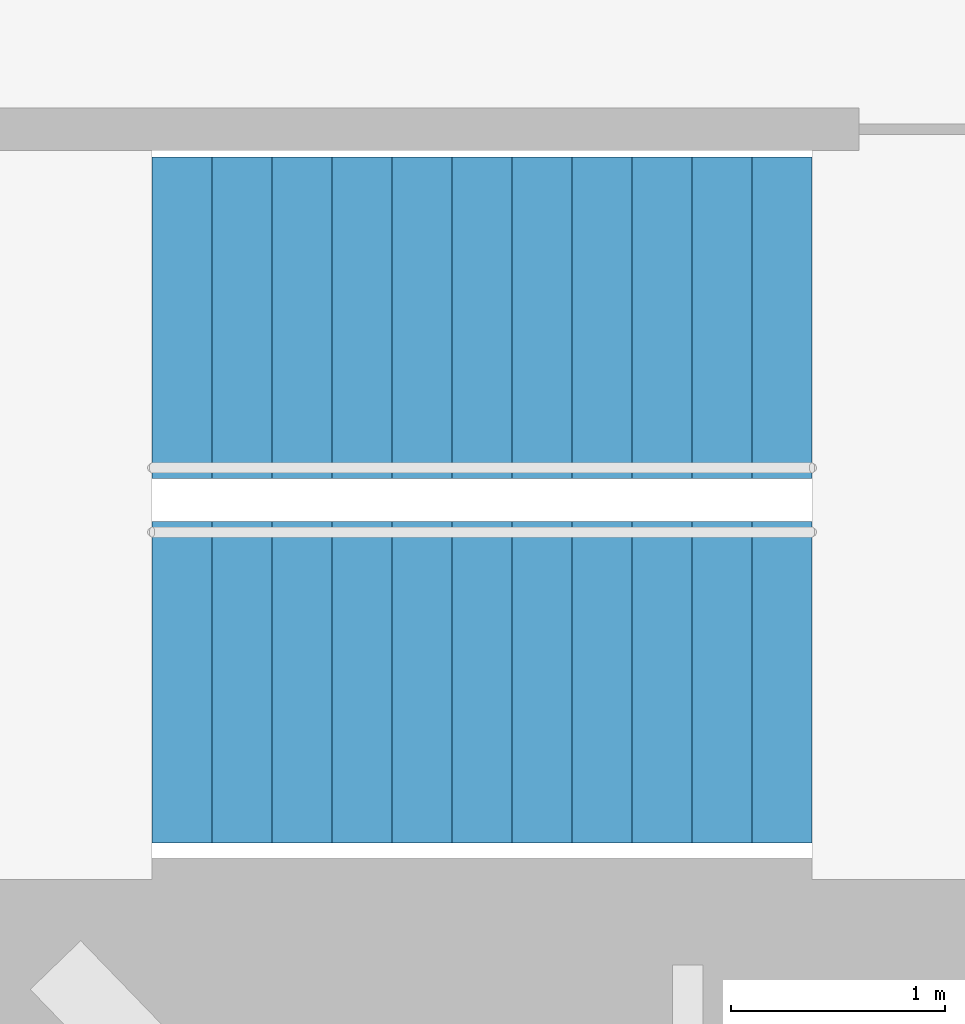
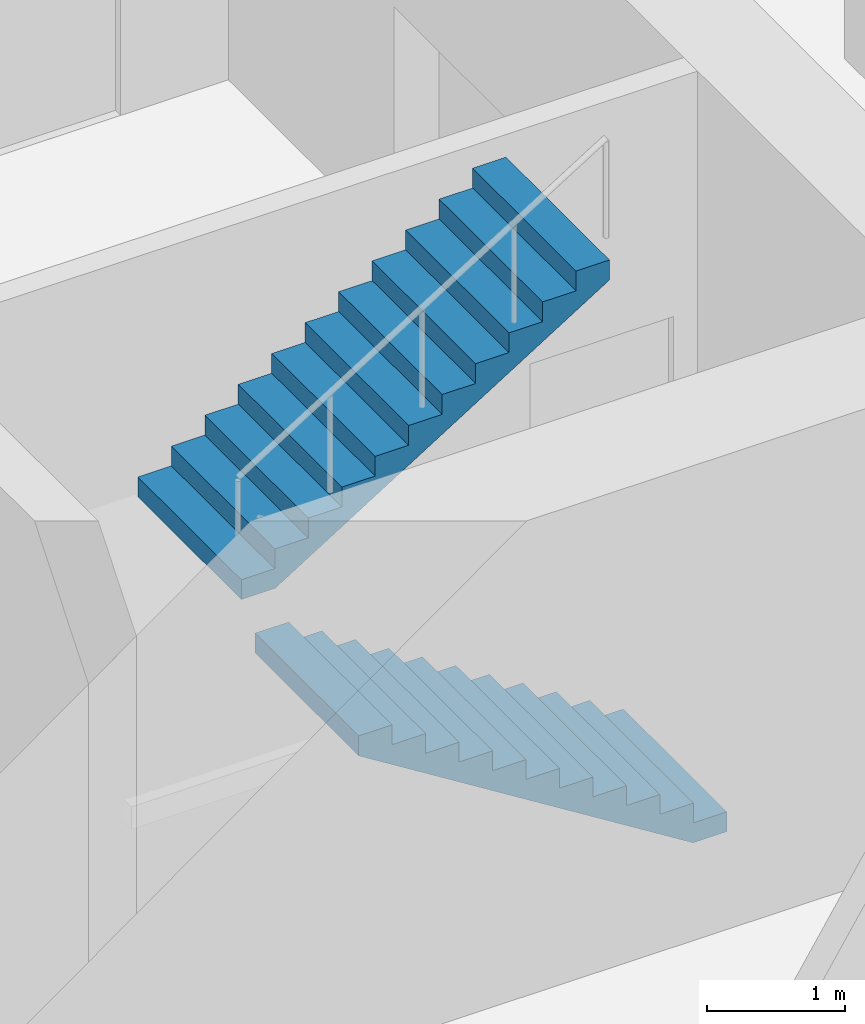
# One storey, part 15 of 16: 2 stair flights, 1 element without a shape of its own.
"""IFC4 building model written with IfcOpenShell, lengths in metres."""

from ifc_helpers import new_model, si_unit, direction, frame, origin, place, context, subcontext, project, spatial, triangles, material, type_object, element, aggregate, save


model = new_model("IFC4")

# Units and contexts
model_context = context("Model", 3, precision=1e-05, world=origin(), true_north=direction((0.0, 1.0)))
body_context = subcontext(model_context, "Body", "Model", "MODEL_VIEW")
ifc_project = project(units=[si_unit("LENGTHUNIT", "METRE"), si_unit("AREAUNIT", "SQUARE_METRE"), si_unit("VOLUMEUNIT", "CUBIC_METRE"), si_unit("PLANEANGLEUNIT", "RADIAN"), si_unit("MASSUNIT", "GRAM", prefix="KILO")], contexts=[model_context])

# Site, building, storey
site_placement = place(None, origin())
site = spatial("IfcSite", under=ifc_project, at=site_placement, CompositionType="ELEMENT")
building_placement = place(site_placement, origin())
building = spatial("IfcBuilding", under=site, at=building_placement, Name="Lantaw Convention Tower", CompositionType="ELEMENT")
storey_placement = place(building_placement, frame((0.0, 0.0, 232.60009765625)))
storey = spatial("IfcBuildingStorey", under=building, at=storey_placement, Name="L54", CompositionType="ELEMENT", Elevation=232.60009765625)

# Stair, stair flights
ifc_material = material(Name="Concrete C35/45", Category="concrete")
stair_type = type_object("IfcStairType", Name="Exit stair 1500 riser 175 in 2 flights", PredefinedType="HALF_TURN_STAIR", material=ifc_material)
stair_placement = place(storey_placement, origin())
stair = element("IfcStair", 1, at=stair_placement, inside=storey, type_object=stair_type, Name="Exit stair S2 L54", PredefinedType="HALF_TURN_STAIR")
stair_flight_type = type_object("IfcStairFlightType", Name="Stair flight 1500 riser 175", PredefinedType="STRAIGHT", material=ifc_material)
stair_flight_1_placement = place(storey_placement, frame((10.580078125, -5.97998046875, 0.0), z_axis=(0.0, 0.0, 1.0), x_axis=(-1.0, 0.0, 0.0)))
stair_flight_1 = element("IfcStairFlight", 2, at=stair_flight_1_placement, type_object=stair_flight_type, Name="S2 flight 1", NumberOfRisers=12, NumberOfTreads=11, PredefinedType="STRAIGHT", RiserHeight=0.175, TreadLength=0.28, context=body_context, shape_type="Tessellation", body=[
    triangles([(0.0, 0.75, 0.0), (0.0, 0.75, 0.175), (0.28, 0.75, 0.0), (0.28, 0.75, 0.175), (0.28, 0.75, 0.35), (0.28283517651771284, 0.75, 0.0), (0.28283517651771284, 0.75, 0.35), (0.56, 0.75, 0.17322801467642948), (0.56, 0.75, 0.35), (0.56, 0.75, 0.5249999999999999), (0.8400000000000001, 0.75, 0.34822801467642944), (0.8400000000000001, 0.75, 0.5249999999999999), (0.8400000000000001, 0.75, 0.7), (1.12, 0.75, 0.5232280146764294), (1.12, 0.75, 0.7), (1.12, 0.75, 0.875), (1.4000000000000001, 0.75, 0.6982280146764295), (1.4000000000000001, 0.75, 0.875), (1.4000000000000001, 0.75, 1.0499999999999998), (1.6800000000000002, 0.75, 0.8732280146764294), (1.6800000000000002, 0.75, 1.0499999999999998), (1.6800000000000002, 0.75, 1.2249999999999999), (1.9600000000000002, 0.75, 1.0482280146764293), (1.9600000000000002, 0.75, 1.2249999999999999), (1.9600000000000002, 0.75, 1.4), (2.24, 0.75, 1.2232280146764294), (2.24, 0.75, 1.4), (2.24, 0.75, 1.575), (2.5200000000000005, 0.75, 1.3982280146764294), (2.5200000000000005, 0.75, 1.575), (2.5200000000000005, 0.75, 1.75), (2.8000000000000003, 0.75, 1.5732280146764293), (2.8000000000000003, 0.75, 1.75), (2.8000000000000003, 0.75, 1.9249999999999998), (3.08, 0.75, 1.7482280146764293), (3.08, 0.75, 1.9249999999999998), (0.0, -0.75, 0.0), (0.0, -0.75, 0.175), (0.28, -0.75, 0.0), (0.28, -0.75, 0.175), (0.28, -0.75, 0.35), (0.28283517651771284, -0.75, 0.0), (0.28283517651771284, -0.75, 0.35), (0.56, -0.75, 0.17322801467642948), (0.56, -0.75, 0.35), (0.56, -0.75, 0.5249999999999999), (0.8400000000000001, -0.75, 0.34822801467642944), (0.8400000000000001, -0.75, 0.5249999999999999), (0.8400000000000001, -0.75, 0.7), (1.12, -0.75, 0.5232280146764294), (1.12, -0.75, 0.7), (1.12, -0.75, 0.875), (1.4000000000000001, -0.75, 0.6982280146764295), (1.4000000000000001, -0.75, 0.875), (1.4000000000000001, -0.75, 1.0499999999999998), (1.6800000000000002, -0.75, 0.8732280146764294), (1.6800000000000002, -0.75, 1.0499999999999998), (1.6800000000000002, -0.75, 1.2249999999999999), (1.9600000000000002, -0.75, 1.0482280146764293), (1.9600000000000002, -0.75, 1.2249999999999999), (1.9600000000000002, -0.75, 1.4), (2.24, -0.75, 1.2232280146764294), (2.24, -0.75, 1.4), (2.24, -0.75, 1.575), (2.5200000000000005, -0.75, 1.3982280146764294), (2.5200000000000005, -0.75, 1.575), (2.5200000000000005, -0.75, 1.75), (2.8000000000000003, -0.75, 1.5732280146764293), (2.8000000000000003, -0.75, 1.75), (2.8000000000000003, -0.75, 1.9249999999999998), (3.08, -0.75, 1.7482280146764293), (3.08, -0.75, 1.9249999999999998), (0.0, 0.15000000000000002, 0.175), (0.0, 0.15000000000000002, 0.0), (0.0, 0.0, 0.175), (0.0, 0.0, 0.0), (0.0, -0.15000000000000002, 0.175), (0.0, -0.15000000000000002, 0.0), (0.28, 0.15000000000000002, 0.35), (0.28, 0.15000000000000002, 0.175), (0.28, 0.0, 0.35), (0.28, 0.0, 0.175), (0.28, -0.15000000000000002, 0.35), (0.28, -0.15000000000000002, 0.175), (0.56, 0.15000000000000002, 0.5249999999999999), (0.56, 0.15000000000000002, 0.35), (0.56, 0.0, 0.5249999999999999), (0.56, 0.0, 0.35), (0.56, -0.15000000000000002, 0.5249999999999999), (0.56, -0.15000000000000002, 0.35), (0.8400000000000001, 0.15000000000000002, 0.7), (0.8400000000000001, 0.15000000000000002, 0.5249999999999999), (0.8400000000000001, 0.0, 0.7), (0.8400000000000001, 0.0, 0.5249999999999999), (0.8400000000000001, -0.15000000000000002, 0.7), (0.8400000000000001, -0.15000000000000002, 0.5249999999999999), (1.12, 0.15000000000000002, 0.875), (1.12, 0.15000000000000002, 0.7), (1.12, 0.0, 0.875), (1.12, 0.0, 0.7), (1.12, -0.15000000000000002, 0.875), (1.12, -0.15000000000000002, 0.7), (1.4000000000000001, 0.15000000000000002, 1.0499999999999998), (1.4000000000000001, 0.15000000000000002, 0.875), (1.4000000000000001, 0.0, 1.0499999999999998), (1.4000000000000001, 0.0, 0.875), (1.4000000000000001, -0.15000000000000002, 1.0499999999999998), (1.4000000000000001, -0.15000000000000002, 0.875), (1.6800000000000002, 0.15000000000000002, 1.2249999999999999), (1.6800000000000002, 0.15000000000000002, 1.0499999999999998), (1.6800000000000002, 0.0, 1.2249999999999999), (1.6800000000000002, 0.0, 1.0499999999999998), (1.6800000000000002, -0.15000000000000002, 1.2249999999999999), (1.6800000000000002, -0.15000000000000002, 1.0499999999999998), (1.9600000000000002, 0.15000000000000002, 1.4), (1.9600000000000002, 0.15000000000000002, 1.2249999999999999), (1.9600000000000002, 0.0, 1.4), (1.9600000000000002, 0.0, 1.2249999999999999), (1.9600000000000002, -0.15000000000000002, 1.4), (1.9600000000000002, -0.15000000000000002, 1.2249999999999999), (2.24, 0.15000000000000002, 1.575), (2.24, 0.15000000000000002, 1.4), (2.24, 0.0, 1.575), (2.24, 0.0, 1.4), (2.24, -0.15000000000000002, 1.575), (2.24, -0.15000000000000002, 1.4), (2.5200000000000005, 0.15000000000000002, 1.75), (2.5200000000000005, 0.15000000000000002, 1.575), (2.5200000000000005, 0.0, 1.75), (2.5200000000000005, 0.0, 1.575), (2.5200000000000005, -0.15000000000000002, 1.75), (2.5200000000000005, -0.15000000000000002, 1.575), (2.8000000000000003, 0.15000000000000002, 1.9249999999999998), (2.8000000000000003, 0.15000000000000002, 1.75), (2.8000000000000003, 0.0, 1.9249999999999998), (2.8000000000000003, 0.0, 1.75), (2.8000000000000003, -0.15000000000000002, 1.9249999999999998), (2.8000000000000003, -0.15000000000000002, 1.75), (0.28283517651771284, 0.15000000000000002, 0.35), (0.28283517651771284, 0.0, 0.35), (0.28283517651771284, -0.15000000000000002, 0.35), (3.08, 0.15000000000000002, 1.9249999999999998), (3.08, 0.0, 1.9249999999999998), (3.08, -0.15000000000000002, 1.9249999999999998), (3.08, 0.15000000000000002, 1.7482280146764293), (3.08, 0.0, 1.7482280146764293), (3.08, -0.15000000000000002, 1.7482280146764293), (2.8000000000000003, 0.15000000000000002, 1.5732280146764293), (2.8000000000000003, 0.0, 1.5732280146764293), (2.8000000000000003, -0.15000000000000002, 1.5732280146764293), (2.5200000000000005, 0.15000000000000002, 1.3982280146764294), (2.5200000000000005, 0.0, 1.3982280146764294), (2.5200000000000005, -0.15000000000000002, 1.3982280146764294), (2.24, 0.15000000000000002, 1.2232280146764294), (2.24, 0.0, 1.2232280146764294), (2.24, -0.15000000000000002, 1.2232280146764294), (1.9600000000000002, 0.15000000000000002, 1.0482280146764293), (1.9600000000000002, 0.0, 1.0482280146764293), (1.9600000000000002, -0.15000000000000002, 1.0482280146764293), (1.6800000000000002, 0.15000000000000002, 0.8732280146764294), (1.6800000000000002, 0.0, 0.8732280146764294), (1.6800000000000002, -0.15000000000000002, 0.8732280146764294), (1.4000000000000001, 0.15000000000000002, 0.6982280146764295), (1.4000000000000001, 0.0, 0.6982280146764295), (1.4000000000000001, -0.15000000000000002, 0.6982280146764295), (1.12, 0.15000000000000002, 0.5232280146764294), (1.12, 0.0, 0.5232280146764294), (1.12, -0.15000000000000002, 0.5232280146764294), (0.8400000000000001, 0.15000000000000002, 0.34822801467642944), (0.8400000000000001, 0.0, 0.34822801467642944), (0.8400000000000001, -0.15000000000000002, 0.34822801467642944), (0.56, 0.15000000000000002, 0.17322801467642948), (0.56, 0.0, 0.17322801467642948), (0.56, -0.15000000000000002, 0.17322801467642948), (0.28283517651771284, 0.15000000000000002, 0.0), (0.28283517651771284, 0.0, 0.0), (0.28283517651771284, -0.15000000000000002, 0.0), (0.28, 0.15000000000000002, 0.0), (0.28, 0.0, 0.0), (0.28, -0.15000000000000002, 0.0)], [[1, 4, 3], [1, 2, 4], [3, 4, 6], [4, 7, 6], [4, 5, 7], [6, 9, 8], [6, 7, 9], [8, 9, 11], [9, 12, 11], [9, 10, 12], [11, 12, 14], [12, 15, 14], [12, 13, 15], [14, 15, 17], [15, 18, 17], [15, 16, 18], [17, 18, 20], [18, 21, 20], [18, 19, 21], [20, 21, 23], [21, 24, 23], [21, 22, 24], [23, 24, 26], [24, 27, 26], [24, 25, 27], [26, 27, 29], [27, 30, 29], [27, 28, 30], [29, 30, 32], [30, 33, 32], [30, 31, 33], [32, 33, 35], [33, 36, 35], [33, 34, 36], [37, 39, 40], [37, 40, 38], [39, 42, 40], [40, 42, 43], [40, 43, 41], [42, 44, 45], [42, 45, 43], [44, 47, 45], [45, 47, 48], [45, 48, 46], [47, 50, 48], [48, 50, 51], [48, 51, 49], [50, 53, 51], [51, 53, 54], [51, 54, 52], [53, 56, 54], [54, 56, 57], [54, 57, 55], [56, 59, 57], [57, 59, 60], [57, 60, 58], [59, 62, 60], [60, 62, 63], [60, 63, 61], [62, 65, 63], [63, 65, 66], [63, 66, 64], [65, 68, 66], [66, 68, 69], [66, 69, 67], [68, 71, 69], [69, 71, 72], [69, 72, 70], [1, 73, 2], [1, 74, 73], [74, 75, 73], [74, 76, 75], [76, 77, 75], [76, 78, 77], [78, 38, 77], [78, 37, 38], [4, 79, 5], [4, 80, 79], [80, 81, 79], [80, 82, 81], [82, 83, 81], [82, 84, 83], [84, 41, 83], [84, 40, 41], [9, 85, 10], [9, 86, 85], [86, 87, 85], [86, 88, 87], [88, 89, 87], [88, 90, 89], [90, 46, 89], [90, 45, 46], [12, 91, 13], [12, 92, 91], [92, 93, 91], [92, 94, 93], [94, 95, 93], [94, 96, 95], [96, 49, 95], [96, 48, 49], [15, 97, 16], [15, 98, 97], [98, 99, 97], [98, 100, 99], [100, 101, 99], [100, 102, 101], [102, 52, 101], [102, 51, 52], [18, 103, 19], [18, 104, 103], [104, 105, 103], [104, 106, 105], [106, 107, 105], [106, 108, 107], [108, 55, 107], [108, 54, 55], [21, 109, 22], [21, 110, 109], [110, 111, 109], [110, 112, 111], [112, 113, 111], [112, 114, 113], [114, 58, 113], [114, 57, 58], [24, 115, 25], [24, 116, 115], [116, 117, 115], [116, 118, 117], [118, 119, 117], [118, 120, 119], [120, 61, 119], [120, 60, 61], [27, 121, 28], [27, 122, 121], [122, 123, 121], [122, 124, 123], [124, 125, 123], [124, 126, 125], [126, 64, 125], [126, 63, 64], [30, 127, 31], [30, 128, 127], [128, 129, 127], [128, 130, 129], [130, 131, 129], [130, 132, 131], [132, 67, 131], [132, 66, 67], [33, 133, 34], [33, 134, 133], [134, 135, 133], [134, 136, 135], [136, 137, 135], [136, 138, 137], [138, 70, 137], [138, 69, 70], [2, 80, 4], [2, 73, 80], [73, 82, 80], [73, 75, 82], [75, 84, 82], [75, 77, 84], [77, 40, 84], [77, 38, 40], [5, 139, 7], [5, 79, 139], [79, 140, 139], [79, 81, 140], [81, 141, 140], [81, 83, 141], [83, 43, 141], [83, 41, 43], [7, 86, 9], [7, 139, 86], [139, 88, 86], [139, 140, 88], [140, 90, 88], [140, 141, 90], [141, 45, 90], [141, 43, 45], [10, 92, 12], [10, 85, 92], [85, 94, 92], [85, 87, 94], [87, 96, 94], [87, 89, 96], [89, 48, 96], [89, 46, 48], [13, 98, 15], [13, 91, 98], [91, 100, 98], [91, 93, 100], [93, 102, 100], [93, 95, 102], [95, 51, 102], [95, 49, 51], [16, 104, 18], [16, 97, 104], [97, 106, 104], [97, 99, 106], [99, 108, 106], [99, 101, 108], [101, 54, 108], [101, 52, 54], [19, 110, 21], [19, 103, 110], [103, 112, 110], [103, 105, 112], [105, 114, 112], [105, 107, 114], [107, 57, 114], [107, 55, 57], [22, 116, 24], [22, 109, 116], [109, 118, 116], [109, 111, 118], [111, 120, 118], [111, 113, 120], [113, 60, 120], [113, 58, 60], [25, 122, 27], [25, 115, 122], [115, 124, 122], [115, 117, 124], [117, 126, 124], [117, 119, 126], [119, 63, 126], [119, 61, 63], [28, 128, 30], [28, 121, 128], [121, 130, 128], [121, 123, 130], [123, 132, 130], [123, 125, 132], [125, 66, 132], [125, 64, 66], [31, 134, 33], [31, 127, 134], [127, 136, 134], [127, 129, 136], [129, 138, 136], [129, 131, 138], [131, 69, 138], [131, 67, 69], [34, 142, 36], [34, 133, 142], [133, 143, 142], [133, 135, 143], [135, 144, 143], [135, 137, 144], [137, 72, 144], [137, 70, 72], [36, 145, 35], [36, 142, 145], [142, 146, 145], [142, 143, 146], [143, 147, 146], [143, 144, 147], [144, 71, 147], [144, 72, 71], [35, 148, 32], [35, 145, 148], [145, 149, 148], [145, 146, 149], [146, 150, 149], [146, 147, 150], [147, 68, 150], [147, 71, 68], [32, 151, 29], [32, 148, 151], [148, 152, 151], [148, 149, 152], [149, 153, 152], [149, 150, 153], [150, 65, 153], [150, 68, 65], [29, 154, 26], [29, 151, 154], [151, 155, 154], [151, 152, 155], [152, 156, 155], [152, 153, 156], [153, 62, 156], [153, 65, 62], [26, 157, 23], [26, 154, 157], [154, 158, 157], [154, 155, 158], [155, 159, 158], [155, 156, 159], [156, 59, 159], [156, 62, 59], [23, 160, 20], [23, 157, 160], [157, 161, 160], [157, 158, 161], [158, 162, 161], [158, 159, 162], [159, 56, 162], [159, 59, 56], [20, 163, 17], [20, 160, 163], [160, 164, 163], [160, 161, 164], [161, 165, 164], [161, 162, 165], [162, 53, 165], [162, 56, 53], [17, 166, 14], [17, 163, 166], [163, 167, 166], [163, 164, 167], [164, 168, 167], [164, 165, 168], [165, 50, 168], [165, 53, 50], [14, 169, 11], [14, 166, 169], [166, 170, 169], [166, 167, 170], [167, 171, 170], [167, 168, 171], [168, 47, 171], [168, 50, 47], [11, 172, 8], [11, 169, 172], [169, 173, 172], [169, 170, 173], [170, 174, 173], [170, 171, 174], [171, 44, 174], [171, 47, 44], [8, 175, 6], [8, 172, 175], [172, 176, 175], [172, 173, 176], [173, 177, 176], [173, 174, 177], [174, 42, 177], [174, 44, 42], [6, 178, 3], [6, 175, 178], [175, 179, 178], [175, 176, 179], [176, 180, 179], [176, 177, 180], [177, 39, 180], [177, 42, 39], [3, 74, 1], [3, 178, 74], [178, 76, 74], [178, 179, 76], [179, 78, 76], [179, 180, 78], [180, 37, 78], [180, 39, 37]], closed=True),
])
stair_flight_2_placement = place(storey_placement, frame((7.5, -4.280029296875, 2.099853515625), z_axis=(0.0, 0.0, 1.0), x_axis=(1.0, 0.0, 0.0)))
stair_flight_2 = element("IfcStairFlight", 3, at=stair_flight_2_placement, type_object=stair_flight_type, Name="S2 flight 2", NumberOfRisers=12, NumberOfTreads=11, PredefinedType="STRAIGHT", RiserHeight=0.175, TreadLength=0.28, context=body_context, shape_type="Tessellation", body=[
    triangles([(0.0, 0.75, 0.0), (0.0, 0.75, 0.175), (0.28, 0.75, 0.0), (0.28, 0.75, 0.175), (0.28, 0.75, 0.35), (0.28283517651771284, 0.75, 0.0), (0.28283517651771284, 0.75, 0.35), (0.56, 0.75, 0.17322801467642948), (0.56, 0.75, 0.35), (0.56, 0.75, 0.5249999999999999), (0.8400000000000001, 0.75, 0.34822801467642944), (0.8400000000000001, 0.75, 0.5249999999999999), (0.8400000000000001, 0.75, 0.7), (1.12, 0.75, 0.5232280146764294), (1.12, 0.75, 0.7), (1.12, 0.75, 0.875), (1.4000000000000001, 0.75, 0.6982280146764295), (1.4000000000000001, 0.75, 0.875), (1.4000000000000001, 0.75, 1.0499999999999998), (1.6800000000000002, 0.75, 0.8732280146764294), (1.6800000000000002, 0.75, 1.0499999999999998), (1.6800000000000002, 0.75, 1.2249999999999999), (1.9600000000000002, 0.75, 1.0482280146764293), (1.9600000000000002, 0.75, 1.2249999999999999), (1.9600000000000002, 0.75, 1.4), (2.24, 0.75, 1.2232280146764294), (2.24, 0.75, 1.4), (2.24, 0.75, 1.575), (2.5200000000000005, 0.75, 1.3982280146764294), (2.5200000000000005, 0.75, 1.575), (2.5200000000000005, 0.75, 1.75), (2.8000000000000003, 0.75, 1.5732280146764293), (2.8000000000000003, 0.75, 1.75), (2.8000000000000003, 0.75, 1.9249999999999998), (3.08, 0.75, 1.7482280146764293), (3.08, 0.75, 1.9249999999999998), (0.0, -0.75, 0.0), (0.0, -0.75, 0.175), (0.28, -0.75, 0.0), (0.28, -0.75, 0.175), (0.28, -0.75, 0.35), (0.28283517651771284, -0.75, 0.0), (0.28283517651771284, -0.75, 0.35), (0.56, -0.75, 0.17322801467642948), (0.56, -0.75, 0.35), (0.56, -0.75, 0.5249999999999999), (0.8400000000000001, -0.75, 0.34822801467642944), (0.8400000000000001, -0.75, 0.5249999999999999), (0.8400000000000001, -0.75, 0.7), (1.12, -0.75, 0.5232280146764294), (1.12, -0.75, 0.7), (1.12, -0.75, 0.875), (1.4000000000000001, -0.75, 0.6982280146764295), (1.4000000000000001, -0.75, 0.875), (1.4000000000000001, -0.75, 1.0499999999999998), (1.6800000000000002, -0.75, 0.8732280146764294), (1.6800000000000002, -0.75, 1.0499999999999998), (1.6800000000000002, -0.75, 1.2249999999999999), (1.9600000000000002, -0.75, 1.0482280146764293), (1.9600000000000002, -0.75, 1.2249999999999999), (1.9600000000000002, -0.75, 1.4), (2.24, -0.75, 1.2232280146764294), (2.24, -0.75, 1.4), (2.24, -0.75, 1.575), (2.5200000000000005, -0.75, 1.3982280146764294), (2.5200000000000005, -0.75, 1.575), (2.5200000000000005, -0.75, 1.75), (2.8000000000000003, -0.75, 1.5732280146764293), (2.8000000000000003, -0.75, 1.75), (2.8000000000000003, -0.75, 1.9249999999999998), (3.08, -0.75, 1.7482280146764293), (3.08, -0.75, 1.9249999999999998), (0.0, 0.15000000000000002, 0.175), (0.0, 0.15000000000000002, 0.0), (0.0, 0.0, 0.175), (0.0, 0.0, 0.0), (0.0, -0.15000000000000002, 0.175), (0.0, -0.15000000000000002, 0.0), (0.28, 0.15000000000000002, 0.35), (0.28, 0.15000000000000002, 0.175), (0.28, 0.0, 0.35), (0.28, 0.0, 0.175), (0.28, -0.15000000000000002, 0.35), (0.28, -0.15000000000000002, 0.175), (0.56, 0.15000000000000002, 0.5249999999999999), (0.56, 0.15000000000000002, 0.35), (0.56, 0.0, 0.5249999999999999), (0.56, 0.0, 0.35), (0.56, -0.15000000000000002, 0.5249999999999999), (0.56, -0.15000000000000002, 0.35), (0.8400000000000001, 0.15000000000000002, 0.7), (0.8400000000000001, 0.15000000000000002, 0.5249999999999999), (0.8400000000000001, 0.0, 0.7), (0.8400000000000001, 0.0, 0.5249999999999999), (0.8400000000000001, -0.15000000000000002, 0.7), (0.8400000000000001, -0.15000000000000002, 0.5249999999999999), (1.12, 0.15000000000000002, 0.875), (1.12, 0.15000000000000002, 0.7), (1.12, 0.0, 0.875), (1.12, 0.0, 0.7), (1.12, -0.15000000000000002, 0.875), (1.12, -0.15000000000000002, 0.7), (1.4000000000000001, 0.15000000000000002, 1.0499999999999998), (1.4000000000000001, 0.15000000000000002, 0.875), (1.4000000000000001, 0.0, 1.0499999999999998), (1.4000000000000001, 0.0, 0.875), (1.4000000000000001, -0.15000000000000002, 1.0499999999999998), (1.4000000000000001, -0.15000000000000002, 0.875), (1.6800000000000002, 0.15000000000000002, 1.2249999999999999), (1.6800000000000002, 0.15000000000000002, 1.0499999999999998), (1.6800000000000002, 0.0, 1.2249999999999999), (1.6800000000000002, 0.0, 1.0499999999999998), (1.6800000000000002, -0.15000000000000002, 1.2249999999999999), (1.6800000000000002, -0.15000000000000002, 1.0499999999999998), (1.9600000000000002, 0.15000000000000002, 1.4), (1.9600000000000002, 0.15000000000000002, 1.2249999999999999), (1.9600000000000002, 0.0, 1.4), (1.9600000000000002, 0.0, 1.2249999999999999), (1.9600000000000002, -0.15000000000000002, 1.4), (1.9600000000000002, -0.15000000000000002, 1.2249999999999999), (2.24, 0.15000000000000002, 1.575), (2.24, 0.15000000000000002, 1.4), (2.24, 0.0, 1.575), (2.24, 0.0, 1.4), (2.24, -0.15000000000000002, 1.575), (2.24, -0.15000000000000002, 1.4), (2.5200000000000005, 0.15000000000000002, 1.75), (2.5200000000000005, 0.15000000000000002, 1.575), (2.5200000000000005, 0.0, 1.75), (2.5200000000000005, 0.0, 1.575), (2.5200000000000005, -0.15000000000000002, 1.75), (2.5200000000000005, -0.15000000000000002, 1.575), (2.8000000000000003, 0.15000000000000002, 1.9249999999999998), (2.8000000000000003, 0.15000000000000002, 1.75), (2.8000000000000003, 0.0, 1.9249999999999998), (2.8000000000000003, 0.0, 1.75), (2.8000000000000003, -0.15000000000000002, 1.9249999999999998), (2.8000000000000003, -0.15000000000000002, 1.75), (0.28283517651771284, 0.15000000000000002, 0.35), (0.28283517651771284, 0.0, 0.35), (0.28283517651771284, -0.15000000000000002, 0.35), (3.08, 0.15000000000000002, 1.9249999999999998), (3.08, 0.0, 1.9249999999999998), (3.08, -0.15000000000000002, 1.9249999999999998), (3.08, 0.15000000000000002, 1.7482280146764293), (3.08, 0.0, 1.7482280146764293), (3.08, -0.15000000000000002, 1.7482280146764293), (2.8000000000000003, 0.15000000000000002, 1.5732280146764293), (2.8000000000000003, 0.0, 1.5732280146764293), (2.8000000000000003, -0.15000000000000002, 1.5732280146764293), (2.5200000000000005, 0.15000000000000002, 1.3982280146764294), (2.5200000000000005, 0.0, 1.3982280146764294), (2.5200000000000005, -0.15000000000000002, 1.3982280146764294), (2.24, 0.15000000000000002, 1.2232280146764294), (2.24, 0.0, 1.2232280146764294), (2.24, -0.15000000000000002, 1.2232280146764294), (1.9600000000000002, 0.15000000000000002, 1.0482280146764293), (1.9600000000000002, 0.0, 1.0482280146764293), (1.9600000000000002, -0.15000000000000002, 1.0482280146764293), (1.6800000000000002, 0.15000000000000002, 0.8732280146764294), (1.6800000000000002, 0.0, 0.8732280146764294), (1.6800000000000002, -0.15000000000000002, 0.8732280146764294), (1.4000000000000001, 0.15000000000000002, 0.6982280146764295), (1.4000000000000001, 0.0, 0.6982280146764295), (1.4000000000000001, -0.15000000000000002, 0.6982280146764295), (1.12, 0.15000000000000002, 0.5232280146764294), (1.12, 0.0, 0.5232280146764294), (1.12, -0.15000000000000002, 0.5232280146764294), (0.8400000000000001, 0.15000000000000002, 0.34822801467642944), (0.8400000000000001, 0.0, 0.34822801467642944), (0.8400000000000001, -0.15000000000000002, 0.34822801467642944), (0.56, 0.15000000000000002, 0.17322801467642948), (0.56, 0.0, 0.17322801467642948), (0.56, -0.15000000000000002, 0.17322801467642948), (0.28283517651771284, 0.15000000000000002, 0.0), (0.28283517651771284, 0.0, 0.0), (0.28283517651771284, -0.15000000000000002, 0.0), (0.28, 0.15000000000000002, 0.0), (0.28, 0.0, 0.0), (0.28, -0.15000000000000002, 0.0)], [[1, 4, 3], [1, 2, 4], [3, 4, 6], [4, 7, 6], [4, 5, 7], [6, 9, 8], [6, 7, 9], [8, 9, 11], [9, 12, 11], [9, 10, 12], [11, 12, 14], [12, 15, 14], [12, 13, 15], [14, 15, 17], [15, 18, 17], [15, 16, 18], [17, 18, 20], [18, 21, 20], [18, 19, 21], [20, 21, 23], [21, 24, 23], [21, 22, 24], [23, 24, 26], [24, 27, 26], [24, 25, 27], [26, 27, 29], [27, 30, 29], [27, 28, 30], [29, 30, 32], [30, 33, 32], [30, 31, 33], [32, 33, 35], [33, 36, 35], [33, 34, 36], [37, 39, 40], [37, 40, 38], [39, 42, 40], [40, 42, 43], [40, 43, 41], [42, 44, 45], [42, 45, 43], [44, 47, 45], [45, 47, 48], [45, 48, 46], [47, 50, 48], [48, 50, 51], [48, 51, 49], [50, 53, 51], [51, 53, 54], [51, 54, 52], [53, 56, 54], [54, 56, 57], [54, 57, 55], [56, 59, 57], [57, 59, 60], [57, 60, 58], [59, 62, 60], [60, 62, 63], [60, 63, 61], [62, 65, 63], [63, 65, 66], [63, 66, 64], [65, 68, 66], [66, 68, 69], [66, 69, 67], [68, 71, 69], [69, 71, 72], [69, 72, 70], [1, 73, 2], [1, 74, 73], [74, 75, 73], [74, 76, 75], [76, 77, 75], [76, 78, 77], [78, 38, 77], [78, 37, 38], [4, 79, 5], [4, 80, 79], [80, 81, 79], [80, 82, 81], [82, 83, 81], [82, 84, 83], [84, 41, 83], [84, 40, 41], [9, 85, 10], [9, 86, 85], [86, 87, 85], [86, 88, 87], [88, 89, 87], [88, 90, 89], [90, 46, 89], [90, 45, 46], [12, 91, 13], [12, 92, 91], [92, 93, 91], [92, 94, 93], [94, 95, 93], [94, 96, 95], [96, 49, 95], [96, 48, 49], [15, 97, 16], [15, 98, 97], [98, 99, 97], [98, 100, 99], [100, 101, 99], [100, 102, 101], [102, 52, 101], [102, 51, 52], [18, 103, 19], [18, 104, 103], [104, 105, 103], [104, 106, 105], [106, 107, 105], [106, 108, 107], [108, 55, 107], [108, 54, 55], [21, 109, 22], [21, 110, 109], [110, 111, 109], [110, 112, 111], [112, 113, 111], [112, 114, 113], [114, 58, 113], [114, 57, 58], [24, 115, 25], [24, 116, 115], [116, 117, 115], [116, 118, 117], [118, 119, 117], [118, 120, 119], [120, 61, 119], [120, 60, 61], [27, 121, 28], [27, 122, 121], [122, 123, 121], [122, 124, 123], [124, 125, 123], [124, 126, 125], [126, 64, 125], [126, 63, 64], [30, 127, 31], [30, 128, 127], [128, 129, 127], [128, 130, 129], [130, 131, 129], [130, 132, 131], [132, 67, 131], [132, 66, 67], [33, 133, 34], [33, 134, 133], [134, 135, 133], [134, 136, 135], [136, 137, 135], [136, 138, 137], [138, 70, 137], [138, 69, 70], [2, 80, 4], [2, 73, 80], [73, 82, 80], [73, 75, 82], [75, 84, 82], [75, 77, 84], [77, 40, 84], [77, 38, 40], [5, 139, 7], [5, 79, 139], [79, 140, 139], [79, 81, 140], [81, 141, 140], [81, 83, 141], [83, 43, 141], [83, 41, 43], [7, 86, 9], [7, 139, 86], [139, 88, 86], [139, 140, 88], [140, 90, 88], [140, 141, 90], [141, 45, 90], [141, 43, 45], [10, 92, 12], [10, 85, 92], [85, 94, 92], [85, 87, 94], [87, 96, 94], [87, 89, 96], [89, 48, 96], [89, 46, 48], [13, 98, 15], [13, 91, 98], [91, 100, 98], [91, 93, 100], [93, 102, 100], [93, 95, 102], [95, 51, 102], [95, 49, 51], [16, 104, 18], [16, 97, 104], [97, 106, 104], [97, 99, 106], [99, 108, 106], [99, 101, 108], [101, 54, 108], [101, 52, 54], [19, 110, 21], [19, 103, 110], [103, 112, 110], [103, 105, 112], [105, 114, 112], [105, 107, 114], [107, 57, 114], [107, 55, 57], [22, 116, 24], [22, 109, 116], [109, 118, 116], [109, 111, 118], [111, 120, 118], [111, 113, 120], [113, 60, 120], [113, 58, 60], [25, 122, 27], [25, 115, 122], [115, 124, 122], [115, 117, 124], [117, 126, 124], [117, 119, 126], [119, 63, 126], [119, 61, 63], [28, 128, 30], [28, 121, 128], [121, 130, 128], [121, 123, 130], [123, 132, 130], [123, 125, 132], [125, 66, 132], [125, 64, 66], [31, 134, 33], [31, 127, 134], [127, 136, 134], [127, 129, 136], [129, 138, 136], [129, 131, 138], [131, 69, 138], [131, 67, 69], [34, 142, 36], [34, 133, 142], [133, 143, 142], [133, 135, 143], [135, 144, 143], [135, 137, 144], [137, 72, 144], [137, 70, 72], [36, 145, 35], [36, 142, 145], [142, 146, 145], [142, 143, 146], [143, 147, 146], [143, 144, 147], [144, 71, 147], [144, 72, 71], [35, 148, 32], [35, 145, 148], [145, 149, 148], [145, 146, 149], [146, 150, 149], [146, 147, 150], [147, 68, 150], [147, 71, 68], [32, 151, 29], [32, 148, 151], [148, 152, 151], [148, 149, 152], [149, 153, 152], [149, 150, 153], [150, 65, 153], [150, 68, 65], [29, 154, 26], [29, 151, 154], [151, 155, 154], [151, 152, 155], [152, 156, 155], [152, 153, 156], [153, 62, 156], [153, 65, 62], [26, 157, 23], [26, 154, 157], [154, 158, 157], [154, 155, 158], [155, 159, 158], [155, 156, 159], [156, 59, 159], [156, 62, 59], [23, 160, 20], [23, 157, 160], [157, 161, 160], [157, 158, 161], [158, 162, 161], [158, 159, 162], [159, 56, 162], [159, 59, 56], [20, 163, 17], [20, 160, 163], [160, 164, 163], [160, 161, 164], [161, 165, 164], [161, 162, 165], [162, 53, 165], [162, 56, 53], [17, 166, 14], [17, 163, 166], [163, 167, 166], [163, 164, 167], [164, 168, 167], [164, 165, 168], [165, 50, 168], [165, 53, 50], [14, 169, 11], [14, 166, 169], [166, 170, 169], [166, 167, 170], [167, 171, 170], [167, 168, 171], [168, 47, 171], [168, 50, 47], [11, 172, 8], [11, 169, 172], [169, 173, 172], [169, 170, 173], [170, 174, 173], [170, 171, 174], [171, 44, 174], [171, 47, 44], [8, 175, 6], [8, 172, 175], [172, 176, 175], [172, 173, 176], [173, 177, 176], [173, 174, 177], [174, 42, 177], [174, 44, 42], [6, 178, 3], [6, 175, 178], [175, 179, 178], [175, 176, 179], [176, 180, 179], [176, 177, 180], [177, 39, 180], [177, 42, 39], [3, 74, 1], [3, 178, 74], [178, 76, 74], [178, 179, 76], [179, 78, 76], [179, 180, 78], [180, 37, 78], [180, 39, 37]], closed=True),
])
aggregate(stair, [stair_flight_1, stair_flight_2])

save(model, "model.ifc")
